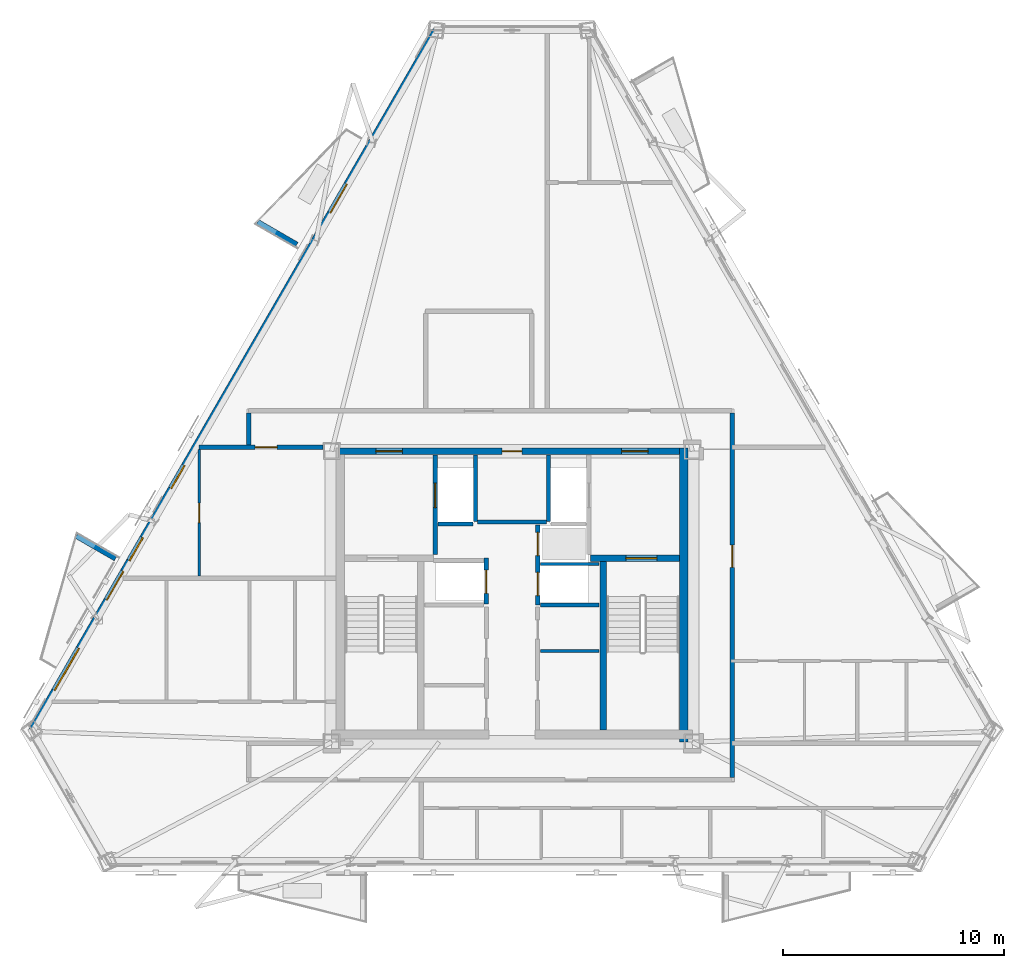
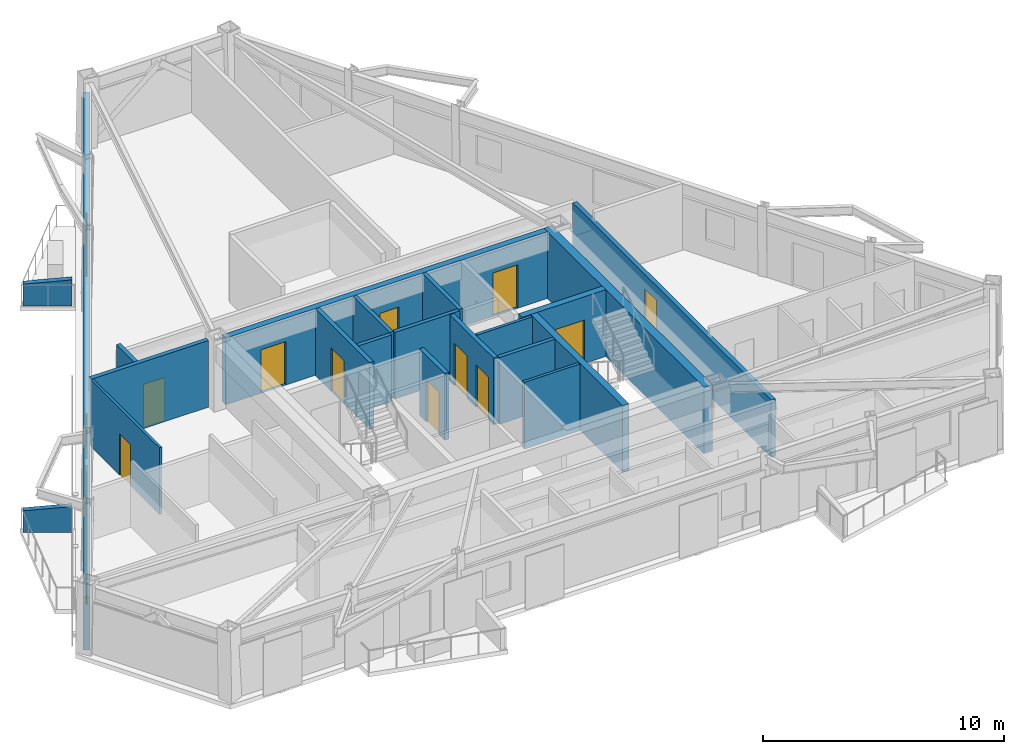
# One storey, part 4 of 11: 21 walls, 13 doors, 3 windows, 16 openings.
"""IFC4 building model written with IfcOpenShell, lengths in metres."""

from ifc_helpers import new_model, si_unit, direction, frame, frame_2d, origin, place, context, subcontext, project, spatial, polyline, rectangle, outline, extrude, material, layer, layer_set, type_object, element, fill, save


model = new_model("IFC4")

# Units and contexts
model_context = context("Model", 3, precision=1e-05, world=origin(), true_north=direction((0.0, 1.0)))
body_context = subcontext(model_context, "Body", "Model", "MODEL_VIEW")
ifc_project = project(units=[si_unit("LENGTHUNIT", "METRE"), si_unit("AREAUNIT", "SQUARE_METRE"), si_unit("VOLUMEUNIT", "CUBIC_METRE"), si_unit("PLANEANGLEUNIT", "RADIAN"), si_unit("MASSUNIT", "GRAM", prefix="KILO")], contexts=[model_context])

# Site, building, storey
site_placement = place(None, origin())
site = spatial("IfcSite", under=ifc_project, at=site_placement, CompositionType="ELEMENT")
building_placement = place(site_placement, origin())
building = spatial("IfcBuilding", under=site, at=building_placement, Name="Oramaril Tower", CompositionType="ELEMENT")
storey_placement = place(building_placement, frame((0.0, 0.0, 212.699951171875)))
storey = spatial("IfcBuildingStorey", under=building, at=storey_placement, Name="L56", CompositionType="ELEMENT", Elevation=212.699951171875)

# Wall, openings, doors, windows
ifc_material_1 = material(Name="Warm Cream Limestone", Category="masonry")
ifc_layer_1 = layer(ifc_material_1, 0.2900390625)
ifc_layer_set_1 = layer_set([ifc_layer_1], Name="WT-EXT29")
wall_type_1 = type_object("IfcWallType", Name="WT-EXT29", PredefinedType="SOLIDWALL", material=ifc_layer_set_1)
wall_1_placement = place(storey_placement, frame((34.060302734375, 43.172607421875, 0.0), z_axis=(0.0, 0.0, 1.0), x_axis=(-0.499999040053, -0.866025958009, 0.0)))
wall_1 = element("IfcWall", 1, at=wall_1_placement, inside=storey, type_object=wall_type_1, Name="L56 Tower Limestone Facade Wall 6M", PredefinedType="SOLIDWALL", context=body_context, shape_type="SweptSolid", body=[
    extrude(rectangle(XDim=36.52294921875, YDim=0.2900390625, at=frame_2d((18.261474609375, 0.0))), origin(), (0.0, 0.0, 1.0), 2.677001953125),
])
opening_1_placement = place(wall_1_placement, frame((8.034423828125, 0.0, 0.0)))
opening_1 = element("IfcOpeningElement", 2, at=opening_1_placement, cuts=wall_1, Name="Opening D-L56-BAL-NW1", PredefinedType="OPENING", context=body_context, shape_type="SweptSolid", body=[
    extrude(rectangle(XDim=1.5, YDim=2.199951171875, at=frame_2d((0.75, 1.10009765625))), frame((0.0, 0.14501953125, 0.0), z_axis=(0.0, -1.0, 0.0), x_axis=(1.0, 0.0, 0.0)), (0.0, 0.0, 1.0), 0.2900390625),
])
opening_2_placement = place(wall_1_placement, frame((28.2333984375, 0.0, 0.0)))
opening_2 = element("IfcOpeningElement", 3, at=opening_2_placement, cuts=wall_1, Name="Opening D-L56-BAL-NW2", PredefinedType="OPENING", context=body_context, shape_type="SweptSolid", body=[
    extrude(rectangle(XDim=1.5, YDim=2.199951171875, at=frame_2d((0.75, 1.10009765625))), frame((0.0, 0.14501953125, 0.0), z_axis=(0.0, -1.0, 0.0), x_axis=(1.0, 0.0, 0.0)), (0.0, 0.0, 1.0), 0.2900390625),
])
opening_3_placement = place(wall_1_placement, frame((32.256591796875, 0.0, 0.85009765625)))
opening_3 = element("IfcOpeningElement", 4, at=opening_3_placement, cuts=wall_1, Name="Opening WN-04", PredefinedType="OPENING", context=body_context, shape_type="SweptSolid", body=[
    extrude(rectangle(XDim=2.199951171875, YDim=1.717041015625, at=frame_2d((1.10009765625, 0.8583984375))), frame((0.0, 0.14501953125, 0.0), z_axis=(0.0, -1.0, 0.0), x_axis=(1.0, 0.0, 0.0)), (0.0, 0.0, 1.0), 0.2900390625),
])
opening_4_placement = place(wall_1_placement, frame((22.715576171875, 0.0, 0.85009765625)))
opening_4 = element("IfcOpeningElement", 5, at=opening_4_placement, cuts=wall_1, Name="Opening WN-09", PredefinedType="OPENING", context=body_context, shape_type="SweptSolid", body=[
    extrude(rectangle(XDim=1.199951171875, YDim=1.47998046875, at=frame_2d((0.60009765625, 0.739990234375))), frame((0.0, 0.14501953125, 0.0), z_axis=(0.0, -1.0, 0.0), x_axis=(1.0, 0.0, 0.0)), (0.0, 0.0, 1.0), 0.2900390625),
])
opening_5_placement = place(wall_1_placement, frame((26.48291015625, 0.0, 0.85009765625)))
opening_5 = element("IfcOpeningElement", 6, at=opening_5_placement, cuts=wall_1, Name="Opening WN-09", PredefinedType="OPENING", context=body_context, shape_type="SweptSolid", body=[
    extrude(rectangle(XDim=1.199951171875, YDim=1.47998046875, at=frame_2d((0.60009765625, 0.739990234375))), frame((0.0, 0.14501953125, 0.0), z_axis=(0.0, -1.0, 0.0), x_axis=(1.0, 0.0, 0.0)), (0.0, 0.0, 1.0), 0.2900390625),
])
ifc_material_2 = material(Name="Anodised Aluminium 6063-T6", Category="aluminium")
door_type_1 = type_object("IfcDoorType", Name="DT-BAL", OperationType="NOTDEFINED", PredefinedType="DOOR", material=ifc_material_2)
door_1_placement = place(opening_1_placement, origin())
door_1 = element("IfcDoor", 7, at=door_1_placement, inside=storey, type_object=door_type_1, Name="L56 Balcony Glazed Door L56-BAL-NW1", OperationType="SINGLE_SWING_LEFT", OverallHeight=2.199951171875, OverallWidth=1.5, PredefinedType="DOOR", context=body_context, shape_type="SweptSolid", body=[
    extrude(rectangle(XDim=1.5, YDim=2.199951171875, at=frame_2d((0.75, 1.10009765625))), frame((0.0, 0.02490234375, 0.0), z_axis=(0.0, -1.0, 0.0), x_axis=(1.0, 0.0, 0.0)), (0.0, 0.0, 1.0), 0.050048828125),
])
fill(opening_1, door_1)
door_2_placement = place(opening_2_placement, origin())
door_2 = element("IfcDoor", 8, at=door_2_placement, inside=storey, type_object=door_type_1, Name="L56 Balcony Glazed Door L56-BAL-NW2", OperationType="SINGLE_SWING_RIGHT", OverallHeight=2.199951171875, OverallWidth=1.5, PredefinedType="DOOR", context=body_context, shape_type="SweptSolid", body=[
    extrude(rectangle(XDim=1.5, YDim=2.199951171875, at=frame_2d((0.75, 1.10009765625))), frame((0.0, 0.02490234375, 0.0), z_axis=(0.0, -1.0, 0.0), x_axis=(1.0, 0.0, 0.0)), (0.0, 0.0, 1.0), 0.050048828125),
])
fill(opening_2, door_2)
ifc_material_3 = material(Name="Coastal Low-E Insulated Glass", Category="glass")
window_type_1 = type_object("IfcWindowType", Name="WNT-04", PartitioningType="SINGLE_PANEL", PredefinedType="WINDOW", material=ifc_material_3)
window_1_placement = place(opening_3_placement, origin())
window_1 = element("IfcWindow", 9, at=window_1_placement, inside=storey, type_object=window_type_1, Name="L56 Chicago Bay Window WN-04", OverallHeight=1.717041015625, OverallWidth=2.199951171875, PartitioningType="SINGLE_PANEL", PredefinedType="WINDOW", context=body_context, shape_type="SweptSolid", body=[
    extrude(rectangle(XDim=2.199951171875, YDim=1.717041015625, at=frame_2d((1.10009765625, 0.8583984375))), frame((0.0, 0.030029296875, 0.0), z_axis=(0.0, -1.0, 0.0), x_axis=(1.0, 0.0, 0.0)), (0.0, 0.0, 1.0), 0.06005859375),
])
fill(opening_3, window_1)
ifc_material_4 = material(Name="Coastal Low-E Insulated Glass", Category="glass")
window_type_2 = type_object("IfcWindowType", Name="WNT-09", PartitioningType="SINGLE_PANEL", PredefinedType="WINDOW", material=ifc_material_4)
window_2_placement = place(opening_4_placement, origin())
window_2 = element("IfcWindow", 10, at=window_2_placement, inside=storey, type_object=window_type_2, Name="L56 Chicago Bay Window WN-09", OverallHeight=1.47998046875, OverallWidth=1.199951171875, PartitioningType="SINGLE_PANEL", PredefinedType="WINDOW", context=body_context, shape_type="SweptSolid", body=[
    extrude(rectangle(XDim=1.199951171875, YDim=1.47998046875, at=frame_2d((0.60009765625, 0.739990234375))), frame((0.0, 0.030029296875, 0.0), z_axis=(0.0, -1.0, 0.0), x_axis=(1.0, 0.0, 0.0)), (0.0, 0.0, 1.0), 0.06005859375),
])
fill(opening_4, window_2)
window_3_placement = place(opening_5_placement, origin())
window_3 = element("IfcWindow", 11, at=window_3_placement, inside=storey, type_object=window_type_2, Name="L56 Chicago Bay Window WN-09", OverallHeight=1.47998046875, OverallWidth=1.199951171875, PartitioningType="SINGLE_PANEL", PredefinedType="WINDOW", context=body_context, shape_type="SweptSolid", body=[
    extrude(rectangle(XDim=1.199951171875, YDim=1.47998046875, at=frame_2d((0.60009765625, 0.739990234375))), frame((0.0, 0.030029296875, 0.0), z_axis=(0.0, -1.0, 0.0), x_axis=(1.0, 0.0, 0.0)), (0.0, 0.0, 1.0), 0.06005859375),
])
fill(opening_5, window_3)

# Walls
ifc_material_5 = material(Name="Concrete C40/50", Category="concrete")
ifc_layer_2 = layer(ifc_material_5, 0.22998046875)
ifc_layer_set_2 = layer_set([ifc_layer_2], Name="WT-PRP23")
wall_type_2 = type_object("IfcWallType", Name="WT-PRP23", PredefinedType="PARAPET", material=ifc_layer_set_2)
for number, where, z_axis, x_axis, name in (
    (12, (27.777587890625, 33.48681640625, 0.0), (0.0, 0.0, 1.0), (-0.866012356593, 0.500022597718, 0.0), "L56 Trapezoidal Balcony Frame Cheek L56-BAL-NW1-R"),
    (13, (19.5830078125, 19.293212890625, 0.0), (0.0, 0.0, 1.0), (-0.866012356593, 0.500022597718, 0.0), "L56 Trapezoidal Balcony Frame Cheek L56-BAL-NW2-L"),
):
    element("IfcWall", number, at=place(storey_placement, frame(where, z_axis=z_axis, x_axis=x_axis)), inside=storey, type_object=wall_type_2, Name=name, PredefinedType="PARAPET", context=body_context, shape_type="SweptSolid", body=[
        extrude(outline(polyline([(0.0, 0.0), (2.0419921875, 0.0), (2.0419921875, 1.10009765625), (0.0, 1.320068359375), (0.0, 0.0)])), frame((0.0, 0.114990234375, 0.0), z_axis=(0.0, -1.0, 0.0), x_axis=(1.0, 0.0, 0.0)), (0.0, 0.0, 1.0), 0.22998046875),
    ])

# Wall, opening, door
ifc_material_6 = material(Name="Acoustic Gypsum Board Partition")
ifc_layer_3 = layer(ifc_material_6, 0.1201171875)
ifc_layer_set_3 = layer_set([ifc_layer_3], Name="WT-PT12")
wall_type_3 = type_object("IfcWallType", Name="WT-PT12", PredefinedType="PARTITIONING", material=ifc_layer_set_3)
wall_2_placement = place(storey_placement, frame((23.3701171875, 18.50390625, 0.0), z_axis=(0.0, 0.0, 1.0), x_axis=(0.0, 1.0, 0.0)))
wall_2 = element("IfcWall", 14, at=wall_2_placement, inside=storey, type_object=wall_type_3, Name="L56 Interior Partition PT-12", PredefinedType="PARTITIONING", context=body_context, shape_type="SweptSolid", body=[
    extrude(rectangle(XDim=5.712158203125, YDim=0.1201171875, at=frame_2d((2.85595703125, 0.0))), origin(), (0.0, 0.0, 1.0), 3.380126953125),
])
opening_6_placement = place(wall_2_placement, frame((2.416015625, 0.0, 0.0)))
opening_6 = element("IfcOpeningElement", 15, at=opening_6_placement, cuts=wall_2, Name="Opening D-L56-22", PredefinedType="OPENING", context=body_context, shape_type="SweptSolid", body=[
    extrude(rectangle(XDim=0.8798828125, YDim=2.080078125, at=frame_2d((0.43994140625, 1.0400390625))), frame((0.0, 0.06005859375, 0.0), z_axis=(0.0, -1.0, 0.0), x_axis=(1.0, 0.0, 0.0)), (0.0, 0.0, 1.0), 0.1201171875),
])
ifc_material_7 = material(Name="FSC Brazilian Freijo Hardwood", Category="wood")
door_type_2 = type_object("IfcDoorType", Name="DT-BATH", OperationType="NOTDEFINED", PredefinedType="DOOR", material=ifc_material_7)
door_3_placement = place(opening_6_placement, origin())
door_3 = element("IfcDoor", 16, at=door_3_placement, inside=storey, type_object=door_type_2, Name="L56 Flat L56-U3 Bathroom Door D-L56-22", OperationType="SINGLE_SWING_LEFT", OverallHeight=2.080078125, OverallWidth=0.8798828125, PredefinedType="DOOR", context=body_context, shape_type="SweptSolid", body=[
    extrude(rectangle(XDim=0.8798828125, YDim=2.080078125, at=frame_2d((0.43994140625, 1.0400390625))), frame((0.0, 0.02490234375, 0.0), z_axis=(0.0, -1.0, 0.0), x_axis=(1.0, 0.0, 0.0)), (0.0, 0.0, 1.0), 0.050048828125),
])
fill(opening_6, door_3)

# Walls
ifc_material_8 = material(Name="Acoustic Gypsum Board Partition")
ifc_layer_4 = layer(ifc_material_8, 0.139892578125)
ifc_layer_set_4 = layer_set([ifc_layer_4], Name="WT-PT14")
wall_type_4 = type_object("IfcWallType", Name="WT-PT14", PredefinedType="PARTITIONING", material=ifc_layer_set_4)
for number, where, z_axis, x_axis, name in (
    (17, (38.780029296875, 19.050048828125, 0.0), (0.0, 0.0, 1.0), (1.0, 0.0, 0.0), "L56 High-Rise Lift H2-H3 Divider"),
    (18, (38.780029296875, 15.110107421875, 0.0), (0.0, 0.0, 1.0), (1.0, 0.0, 0.0), "L56 Freed Shaft Divider"),
):
    element("IfcWall", number, at=place(storey_placement, frame(where, z_axis=z_axis, x_axis=x_axis)), inside=storey, type_object=wall_type_4, Name=name, PredefinedType="PARTITIONING", context=body_context, shape_type="SweptSolid", body=[
        extrude(rectangle(XDim=2.659912109375, YDim=0.139892578125, at=frame_2d((1.330078125, 0.0))), origin(), (0.0, 0.0, 1.0), 3.380126953125),
    ])
ifc_material_9 = material(Name="Autoclaved Cellular Concrete Block", Category="concrete")
ifc_layer_5 = layer(ifc_material_9, 0.179931640625)
ifc_layer_set_5 = layer_set([ifc_layer_5], Name="WT-PT18")
wall_type_5 = type_object("IfcWallType", Name="WT-PT18", PredefinedType="PARTITIONING", material=ifc_layer_set_5)
wall_3_placement = place(storey_placement, frame((35.840087890625, 20.9599609375, 0.0), z_axis=(0.0, 0.0, 1.0), x_axis=(0.0, 1.0, 0.0)))
element("IfcWall", 19, at=wall_3_placement, inside=storey, type_object=wall_type_5, Name="L56 FL-1 East Shaft Wall", PredefinedType="PARTITIONING", context=body_context, shape_type="SweptSolid", body=[
    extrude(rectangle(XDim=3.02001953125, YDim=0.179931640625, at=frame_2d((1.510009765625, 0.0))), origin(), (0.0, 0.0, 1.0), 3.380126953125),
])
wall_4_placement = place(storey_placement, frame((34.159912109375, 20.860107421875, 0.0), z_axis=(0.0, 0.0, 1.0), x_axis=(1.0, 0.0, 0.0)))
element("IfcWall", 20, at=wall_4_placement, inside=storey, type_object=wall_type_5, Name="L56 FL-1 South Shaft Wall", PredefinedType="PARTITIONING", context=body_context, shape_type="SweptSolid", body=[
    extrude(rectangle(XDim=1.580078125, YDim=0.179931640625, at=frame_2d((0.7900390625, 0.0))), origin(), (0.0, 0.0, 1.0), 3.380126953125),
])
wall_5_placement = place(storey_placement, frame((39.159912109375, 20.9599609375, 0.0), z_axis=(0.0, 0.0, 1.0), x_axis=(0.0, 1.0, 0.0)))
element("IfcWall", 21, at=wall_5_placement, inside=storey, type_object=wall_type_5, Name="L56 FL-2 West Shaft Wall", PredefinedType="PARTITIONING", context=body_context, shape_type="SweptSolid", body=[
    extrude(rectangle(XDim=3.02001953125, YDim=0.179931640625, at=frame_2d((1.510009765625, 0.0))), origin(), (0.0, 0.0, 1.0), 3.380126953125),
])
wall_6_placement = place(storey_placement, frame((38.780029296875, 17.199951171875, 0.0), z_axis=(0.0, 0.0, 1.0), x_axis=(1.0, 0.0, 0.0)))
element("IfcWall", 22, at=wall_6_placement, inside=storey, type_object=wall_type_5, Name="L56 High-Rise Lift H2 South Wall", PredefinedType="PARTITIONING", context=body_context, shape_type="SweptSolid", body=[
    extrude(rectangle(XDim=2.659912109375, YDim=0.179931640625, at=frame_2d((1.330078125, 0.0))), origin(), (0.0, 0.0, 1.0), 3.380126953125),
])
wall_7_placement = place(storey_placement, frame((35.949951171875, 20.949951171875, 0.0), z_axis=(0.0, 0.0, 1.0), x_axis=(1.0, 0.0, 0.0)))
element("IfcWall", 23, at=wall_7_placement, inside=storey, type_object=wall_type_5, Name="L56 Lift Lobby North Partition", PredefinedType="PARTITIONING", context=body_context, shape_type="SweptSolid", body=[
    extrude(rectangle(XDim=3.10009765625, YDim=0.179931640625, at=frame_2d((1.550048828125, 0.0))), origin(), (0.0, 0.0, 1.0), 3.380126953125),
])

# Wall, opening, door
ifc_material_10 = material(Name="Autoclaved Cellular Concrete Block", Category="concrete")
ifc_layer_6 = layer(ifc_material_10, 0.199951171875)
ifc_layer_set_6 = layer_set([ifc_layer_6], Name="WT-PT20")
wall_type_6 = type_object("IfcWallType", Name="WT-PT20", PredefinedType="PARTITIONING", material=ifc_layer_set_6)
wall_8_placement = place(storey_placement, frame((23.347900390625, 24.320068359375, 0.0), z_axis=(0.0, 0.0, 1.0), x_axis=(1.0, 0.0, 0.0)))
wall_8 = element("IfcWall", 24, at=wall_8_placement, inside=storey, type_object=wall_type_6, Name="L56 Interior Partition PT-20", PredefinedType="PARTITIONING", context=body_context, shape_type="SweptSolid", body=[
    extrude(rectangle(XDim=5.612060546875, YDim=0.199951171875, at=frame_2d((2.80615234375, 0.0))), origin(), (0.0, 0.0, 1.0), 3.380126953125),
])
opening_7_placement = place(wall_8_placement, frame((2.540283203125, 0.0, 0.0)))
opening_7 = element("IfcOpeningElement", 25, at=opening_7_placement, cuts=wall_8, Name="Opening D-L56-17", PredefinedType="OPENING", context=body_context, shape_type="SweptSolid", body=[
    extrude(rectangle(XDim=1.0, YDim=2.179931640625, at=frame_2d((0.5, 1.08984375))), frame((0.0, 0.10009765625, 0.0), z_axis=(0.0, -1.0, 0.0), x_axis=(1.0, 0.0, 0.0)), (0.0, 0.0, 1.0), 0.199951171875),
])
ifc_material_11 = material(Name="FSC Brazilian Freijo Hardwood", Category="wood")
door_type_3 = type_object("IfcDoorType", Name="DT-APT", OperationType="NOTDEFINED", PredefinedType="DOOR", material=ifc_material_11)
door_4_placement = place(opening_7_placement, origin())
door_4 = element("IfcDoor", 26, at=door_4_placement, inside=storey, type_object=door_type_3, Name="L56 Flat L56-U3 Kitchen and Studio Apartment Door D-L56-17", OperationType="SINGLE_SWING_RIGHT", OverallHeight=2.179931640625, OverallWidth=1.0, PredefinedType="DOOR", context=body_context, shape_type="SweptSolid", body=[
    extrude(rectangle(XDim=1.0, YDim=2.179931640625, at=frame_2d((0.5, 1.08984375))), frame((0.0, 0.02490234375, 0.0), z_axis=(0.0, -1.0, 0.0), x_axis=(1.0, 0.0, 0.0)), (0.0, 0.0, 1.0), 0.050048828125),
])
fill(opening_7, door_4)

# Wall
wall_9_placement = place(storey_placement, frame((25.60009765625, 24.424072265625, 0.0), z_axis=(0.0, 0.0, 1.0), x_axis=(0.0, 1.0, 0.0)))
element("IfcWall", 27, at=wall_9_placement, inside=storey, type_object=wall_type_6, Name="L56 Interior Partition PT-20", PredefinedType="PARTITIONING", context=body_context, shape_type="SweptSolid", body=[
    extrude(rectangle(XDim=1.44189453125, YDim=0.199951171875, at=frame_2d((0.720947265625, 0.0))), origin(), (0.0, 0.0, 1.0), 3.380126953125),
])

# Wall, opening, door
wall_10_placement = place(storey_placement, frame((47.449951171875, 9.404052734375, 0.0), z_axis=(0.0, 0.0, 1.0), x_axis=(0.0, 1.0, 0.0)))
wall_10 = element("IfcWall", 28, at=wall_10_placement, inside=storey, type_object=wall_type_6, Name="L56 Interior Partition PT-20", PredefinedType="PARTITIONING", context=body_context, shape_type="SweptSolid", body=[
    extrude(rectangle(XDim=16.4619140625, YDim=0.199951171875, at=frame_2d((8.23095703125, 0.0))), origin(), (0.0, 0.0, 1.0), 2.9130859375),
])
opening_8_placement = place(wall_10_placement, frame((9.49609375, 0.0, 0.0)))
opening_8 = element("IfcOpeningElement", 29, at=opening_8_placement, cuts=wall_10, Name="Opening D-L56-23", PredefinedType="OPENING", context=body_context, shape_type="SweptSolid", body=[
    extrude(rectangle(XDim=1.0, YDim=2.179931640625, at=frame_2d((0.5, 1.08984375))), frame((0.0, 0.10009765625, 0.0), z_axis=(0.0, -1.0, 0.0), x_axis=(1.0, 0.0, 0.0)), (0.0, 0.0, 1.0), 0.199951171875),
])
door_5_placement = place(opening_8_placement, origin())
door_5 = element("IfcDoor", 30, at=door_5_placement, inside=storey, type_object=door_type_3, Name="L56 Flat L56-U4 Penthouse Living and Dining Room Door D-L56-23", OperationType="SINGLE_SWING_RIGHT", OverallHeight=2.179931640625, OverallWidth=1.0, PredefinedType="DOOR", context=body_context, shape_type="SweptSolid", body=[
    extrude(rectangle(XDim=1.0, YDim=2.179931640625, at=frame_2d((0.5, 1.08984375))), frame((0.0, 0.02490234375, 0.0), z_axis=(0.0, -1.0, 0.0), x_axis=(1.0, 0.0, 0.0)), (0.0, 0.0, 1.0), 0.050048828125),
])
fill(opening_8, door_5)

# Wall, openings, doors
ifc_material_12 = material(Name="Concrete C50/60", Category="concrete")
ifc_layer_7 = layer(ifc_material_12, 0.300048828125)
ifc_layer_set_7 = layer_set([ifc_layer_7], Name="WT-SH30")
wall_type_7 = type_object("IfcWallType", Name="WT-SH30", PredefinedType="SHEAR", material=ifc_layer_set_7)
wall_11_placement = place(storey_placement, frame((29.64990234375, 24.14990234375, 0.0), z_axis=(0.0, 0.0, 1.0), x_axis=(1.0, 0.0, 0.0)))
wall_11 = element("IfcWall", 31, at=wall_11_placement, inside=storey, type_object=wall_type_7, Name="L56 Core Shear Wall CW-N", PredefinedType="SHEAR", context=body_context, shape_type="SweptSolid", body=[
    extrude(rectangle(XDim=15.7001953125, YDim=0.300048828125, at=frame_2d((7.85009765625, 0.0))), origin(), (0.0, 0.0, 1.0), 3.380126953125),
])
opening_9_placement = place(wall_11_placement, frame((1.699951171875, 0.0, 0.0)))
opening_9 = element("IfcOpeningElement", 32, at=opening_9_placement, cuts=wall_11, Name="Opening D-L56-FFL1", PredefinedType="OPENING", context=body_context, shape_type="SweptSolid", body=[
    extrude(rectangle(XDim=1.199951171875, YDim=2.199951171875, at=frame_2d((0.60009765625, 1.10009765625))), frame((0.0, 0.14990234375, 0.0), z_axis=(0.0, -1.0, 0.0), x_axis=(1.0, 0.0, 0.0)), (0.0, 0.0, 1.0), 0.300048828125),
])
opening_10_placement = place(wall_11_placement, frame((12.800048828125, 0.0, 0.0)))
opening_10 = element("IfcOpeningElement", 33, at=opening_10_placement, cuts=wall_11, Name="Opening D-L56-FFL2", PredefinedType="OPENING", context=body_context, shape_type="SweptSolid", body=[
    extrude(rectangle(XDim=1.199951171875, YDim=2.199951171875, at=frame_2d((0.60009765625, 1.10009765625))), frame((0.0, 0.14990234375, 0.0), z_axis=(0.0, -1.0, 0.0), x_axis=(1.0, 0.0, 0.0)), (0.0, 0.0, 1.0), 0.300048828125),
])
opening_11_placement = place(wall_11_placement, frame((7.39990234375, 0.0, 0.0)))
opening_11 = element("IfcOpeningElement", 34, at=opening_11_placement, cuts=wall_11, Name="Opening D-L56-SV1", PredefinedType="OPENING", context=body_context, shape_type="SweptSolid", body=[
    extrude(rectangle(XDim=0.89990234375, YDim=2.050048828125, at=frame_2d((0.449951171875, 1.02490234375))), frame((0.0, 0.14990234375, 0.0), z_axis=(0.0, -1.0, 0.0), x_axis=(1.0, 0.0, 0.0)), (0.0, 0.0, 1.0), 0.300048828125),
])
ifc_material_13 = material(Name="Painted Galvanised Steel", Category="steel")
door_type_4 = type_object("IfcDoorType", Name="DT-FFL", OperationType="NOTDEFINED", PredefinedType="DOOR", material=ifc_material_13)
door_6_placement = place(opening_9_placement, origin())
door_6 = element("IfcDoor", 35, at=door_6_placement, inside=storey, type_object=door_type_4, Name="L56 Firefighting Lobby 1 Fire Door", OperationType="SINGLE_SWING_LEFT", OverallHeight=2.199951171875, OverallWidth=1.199951171875, PredefinedType="DOOR", context=body_context, shape_type="SweptSolid", body=[
    extrude(rectangle(XDim=1.199951171875, YDim=2.199951171875, at=frame_2d((0.60009765625, 1.10009765625))), frame((0.0, 0.02490234375, 0.0), z_axis=(0.0, -1.0, 0.0), x_axis=(1.0, 0.0, 0.0)), (0.0, 0.0, 1.0), 0.050048828125),
])
fill(opening_9, door_6)
door_7_placement = place(opening_10_placement, origin())
door_7 = element("IfcDoor", 36, at=door_7_placement, inside=storey, type_object=door_type_4, Name="L56 Firefighting Lobby 2 Fire Door", OperationType="SINGLE_SWING_RIGHT", OverallHeight=2.199951171875, OverallWidth=1.199951171875, PredefinedType="DOOR", context=body_context, shape_type="SweptSolid", body=[
    extrude(rectangle(XDim=1.199951171875, YDim=2.199951171875, at=frame_2d((0.60009765625, 1.10009765625))), frame((0.0, 0.02490234375, 0.0), z_axis=(0.0, -1.0, 0.0), x_axis=(1.0, 0.0, 0.0)), (0.0, 0.0, 1.0), 0.050048828125),
])
fill(opening_10, door_7)
ifc_material_14 = material(Name="Painted Galvanised Steel", Category="steel")
door_type_5 = type_object("IfcDoorType", Name="DT-SVC", OperationType="NOTDEFINED", PredefinedType="DOOR", material=ifc_material_14)
door_8_placement = place(opening_11_placement, origin())
door_8 = element("IfcDoor", 37, at=door_8_placement, inside=storey, type_object=door_type_5, Name="L56 Core Janitor Store Door", OperationType="SINGLE_SWING_LEFT", OverallHeight=2.050048828125, OverallWidth=0.89990234375, PredefinedType="DOOR", context=body_context, shape_type="SweptSolid", body=[
    extrude(rectangle(XDim=0.89990234375, YDim=2.050048828125, at=frame_2d((0.449951171875, 1.02490234375))), frame((0.0, 0.02490234375, 0.0), z_axis=(0.0, -1.0, 0.0), x_axis=(1.0, 0.0, 0.0)), (0.0, 0.0, 1.0), 0.050048828125),
])
fill(opening_11, door_8)

# Wall, opening, door
wall_12_placement = place(storey_placement, frame((41.050048828125, 19.31005859375, 0.0), z_axis=(0.0, 0.0, 1.0), x_axis=(1.0, 0.0, 0.0)))
wall_12 = element("IfcWall", 38, at=wall_12_placement, inside=storey, type_object=wall_type_7, Name="L56 Core Shear Wall CW-ST2N", PredefinedType="SHEAR", context=body_context, shape_type="SweptSolid", body=[
    extrude(rectangle(XDim=4.010009765625, YDim=0.300048828125, at=frame_2d((2.0048828125, 0.0))), origin(), (0.0, 0.0, 1.0), 3.380126953125),
])
opening_12_placement = place(wall_12_placement, frame((1.60009765625, 0.0, 0.0)))
opening_12 = element("IfcOpeningElement", 39, at=opening_12_placement, cuts=wall_12, Name="Opening D-L56-ST2", PredefinedType="OPENING", context=body_context, shape_type="SweptSolid", body=[
    extrude(rectangle(XDim=1.39990234375, YDim=2.199951171875, at=frame_2d((0.699951171875, 1.10009765625))), frame((0.0, 0.14990234375, 0.0), z_axis=(0.0, -1.0, 0.0), x_axis=(1.0, 0.0, 0.0)), (0.0, 0.0, 1.0), 0.300048828125),
])
ifc_material_15 = material(Name="Painted Galvanised Steel", Category="steel")
door_type_6 = type_object("IfcDoorType", Name="DT-ST", OperationType="NOTDEFINED", PredefinedType="DOOR", material=ifc_material_15)
door_9_placement = place(opening_12_placement, origin())
door_9 = element("IfcDoor", 40, at=door_9_placement, inside=storey, type_object=door_type_6, Name="L56 Protected Stair ST-2 Fire Door", OperationType="SINGLE_SWING_RIGHT", OverallHeight=2.199951171875, OverallWidth=1.39990234375, PredefinedType="DOOR", context=body_context, shape_type="SweptSolid", body=[
    extrude(rectangle(XDim=1.39990234375, YDim=2.199951171875, at=frame_2d((0.699951171875, 1.10009765625))), frame((0.0, 0.02490234375, 0.0), z_axis=(0.0, -1.0, 0.0), x_axis=(1.0, 0.0, 0.0)), (0.0, 0.0, 1.0), 0.050048828125),
])
fill(opening_12, door_9)

# Walls
wall_13_placement = place(storey_placement, frame((41.6201171875, 11.5400390625, 0.0), z_axis=(0.0, 0.0, 1.0), x_axis=(0.0, 1.0, 0.0)))
element("IfcWall", 41, at=wall_13_placement, inside=storey, type_object=wall_type_7, Name="L56 Core Shear Wall CW-ST2W", PredefinedType="SHEAR", context=body_context, shape_type="SweptSolid", body=[
    extrude(rectangle(XDim=7.619873046875, YDim=0.300048828125, at=frame_2d((3.81005859375, 0.0))), origin(), (0.0, 0.0, 1.0), 3.380126953125),
])
ifc_material_16 = material(Name="Concrete C50/60", Category="concrete")
ifc_layer_8 = layer(ifc_material_16, 0.39990234375)
ifc_layer_set_8 = layer_set([ifc_layer_8], Name="WT-SH40")
wall_type_8 = type_object("IfcWallType", Name="WT-SH40", PredefinedType="SHEAR", material=ifc_layer_set_8)
wall_14_placement = place(storey_placement, frame((45.260009765625, 11.0, 0.0), z_axis=(0.0, 0.0, 1.0), x_axis=(0.0, 1.0, 0.0)))
element("IfcWall", 42, at=wall_14_placement, inside=storey, type_object=wall_type_8, Name="L56 Core Shear Wall CW-E", PredefinedType="SHEAR", context=body_context, shape_type="SweptSolid", body=[
    extrude(rectangle(XDim=13.300048828125, YDim=0.39990234375, at=frame_2d((6.64990234375, 0.0))), origin(), (0.0, 0.0, 1.0), 3.380126953125),
])

# Wall, opening, door
ifc_material_17 = material(Name="Autoclaved Cellular Concrete Block", Category="concrete")
ifc_layer_9 = layer(ifc_material_17, 0.199951171875)
ifc_layer_set_9 = layer_set([ifc_layer_9], Name="WT-SHF20")
wall_type_9 = type_object("IfcWallType", Name="WT-SHF20", PredefinedType="PARTITIONING", material=ifc_layer_set_9)
wall_15_placement = place(storey_placement, frame((34.0400390625, 19.47998046875, 0.0), z_axis=(0.0, 0.0, 1.0), x_axis=(0.0, 1.0, 0.0)))
wall_15 = element("IfcWall", 43, at=wall_15_placement, inside=storey, type_object=wall_type_9, Name="L56 FL-1 Lobby Shaft Wall", PredefinedType="PARTITIONING", context=body_context, shape_type="SweptSolid", body=[
    extrude(rectangle(XDim=4.5, YDim=0.199951171875, at=frame_2d((2.25, 0.0))), origin(), (0.0, 0.0, 1.0), 3.380126953125),
])
opening_13_placement = place(wall_15_placement, frame((2.1201171875, 0.0, 0.0)))
opening_13 = element("IfcOpeningElement", 44, at=opening_13_placement, cuts=wall_15, Name="Opening LD-L56-FL-1", PredefinedType="OPENING", context=body_context, shape_type="SweptSolid", body=[
    extrude(rectangle(XDim=1.10009765625, YDim=2.199951171875, at=frame_2d((0.550048828125, 1.10009765625))), frame((0.0, 0.10009765625, 0.0), z_axis=(0.0, -1.0, 0.0), x_axis=(1.0, 0.0, 0.0)), (0.0, 0.0, 1.0), 0.199951171875),
])
ifc_material_18 = material(Name="Stainless Steel 316L", Category="steel")
door_type_7 = type_object("IfcDoorType", Name="DT-LD1", OperationType="NOTDEFINED", PredefinedType="DOOR", material=ifc_material_18)
door_10_placement = place(opening_13_placement, origin())
door_10 = element("IfcDoor", 45, at=door_10_placement, inside=storey, type_object=door_type_7, Name="L56 Lift FL-1 Sliding Landing Door", OperationType="SLIDING_TO_LEFT", OverallHeight=2.199951171875, OverallWidth=1.10009765625, PredefinedType="DOOR", context=body_context, shape_type="SweptSolid", body=[
    extrude(rectangle(XDim=1.10009765625, YDim=2.199951171875, at=frame_2d((0.550048828125, 1.10009765625))), frame((0.0, 0.02490234375, 0.0), z_axis=(0.0, -1.0, 0.0), x_axis=(1.0, 0.0, 0.0)), (0.0, 0.0, 1.0), 0.050048828125),
])
fill(opening_13, door_10)

wall_16_placement = place(storey_placement, frame((36.340087890625, 17.25, 0.0), z_axis=(0.0, 0.0, 1.0), x_axis=(0.0, 1.0, 0.0)))
wall_16 = element("IfcWall", 46, at=wall_16_placement, inside=storey, type_object=wall_type_9, Name="L56 High-Rise Lift H1 Front Wall", PredefinedType="PARTITIONING", context=body_context, shape_type="SweptSolid", body=[
    extrude(rectangle(XDim=2.070068359375, YDim=0.199951171875, at=frame_2d((1.03515625, 0.0))), origin(), (0.0, 0.0, 1.0), 3.380126953125),
])
opening_14_placement = place(wall_16_placement, frame((0.47509765625, 0.0, 0.0)))
opening_14 = element("IfcOpeningElement", 47, at=opening_14_placement, cuts=wall_16, Name="Opening LD-L56-LP-H1", PredefinedType="OPENING", context=body_context, shape_type="SweptSolid", body=[
    extrude(rectangle(XDim=1.050048828125, YDim=2.14990234375, at=frame_2d((0.52490234375, 1.074951171875))), frame((0.0, 0.10009765625, 0.0), z_axis=(0.0, -1.0, 0.0), x_axis=(1.0, 0.0, 0.0)), (0.0, 0.0, 1.0), 0.199951171875),
])
ifc_material_19 = material(Name="Stainless Steel 316L", Category="steel")
door_type_8 = type_object("IfcDoorType", Name="DT-LD2", OperationType="NOTDEFINED", PredefinedType="DOOR", material=ifc_material_19)
door_11_placement = place(opening_14_placement, origin())
door_11 = element("IfcDoor", 48, at=door_11_placement, inside=storey, type_object=door_type_8, Name="L56 Lift LP-H1 Sliding Landing Door", OperationType="SLIDING_TO_LEFT", OverallHeight=2.14990234375, OverallWidth=1.050048828125, PredefinedType="DOOR", context=body_context, shape_type="SweptSolid", body=[
    extrude(rectangle(XDim=1.050048828125, YDim=2.14990234375, at=frame_2d((0.52490234375, 1.074951171875))), frame((0.0, 0.02490234375, 0.0), z_axis=(0.0, -1.0, 0.0), x_axis=(1.0, 0.0, 0.0)), (0.0, 0.0, 1.0), 0.050048828125),
])
fill(opening_14, door_11)

# Wall, openings, doors
wall_17_placement = place(storey_placement, frame((38.659912109375, 17.199951171875, 0.0), z_axis=(0.0, 0.0, 1.0), x_axis=(0.0, 1.0, 0.0)))
wall_17 = element("IfcWall", 49, at=wall_17_placement, inside=storey, type_object=wall_type_9, Name="L56 High-Rise Lift H2-H3 Front Wall", PredefinedType="PARTITIONING", context=body_context, shape_type="SweptSolid", body=[
    extrude(rectangle(XDim=3.6201171875, YDim=0.199951171875, at=frame_2d((1.81005859375, 0.0))), origin(), (0.0, 0.0, 1.0), 3.380126953125),
])
opening_15_placement = place(wall_17_placement, frame((0.425048828125, 0.0, 0.0)))
opening_15 = element("IfcOpeningElement", 50, at=opening_15_placement, cuts=wall_17, Name="Opening LD-L56-LP-H2", PredefinedType="OPENING", context=body_context, shape_type="SweptSolid", body=[
    extrude(rectangle(XDim=1.050048828125, YDim=2.14990234375, at=frame_2d((0.52490234375, 1.074951171875))), frame((0.0, 0.10009765625, 0.0), z_axis=(0.0, -1.0, 0.0), x_axis=(1.0, 0.0, 0.0)), (0.0, 0.0, 1.0), 0.199951171875),
])
opening_16_placement = place(wall_17_placement, frame((2.22509765625, 0.0, 0.0)))
opening_16 = element("IfcOpeningElement", 51, at=opening_16_placement, cuts=wall_17, Name="Opening LD-L56-LP-H3", PredefinedType="OPENING", context=body_context, shape_type="SweptSolid", body=[
    extrude(rectangle(XDim=1.050048828125, YDim=2.14990234375, at=frame_2d((0.52490234375, 1.074951171875))), frame((0.0, 0.10009765625, 0.0), z_axis=(0.0, -1.0, 0.0), x_axis=(1.0, 0.0, 0.0)), (0.0, 0.0, 1.0), 0.199951171875),
])
door_12_placement = place(opening_15_placement, origin())
door_12 = element("IfcDoor", 52, at=door_12_placement, inside=storey, type_object=door_type_8, Name="L56 Lift LP-H2 Sliding Landing Door", OperationType="SLIDING_TO_RIGHT", OverallHeight=2.14990234375, OverallWidth=1.050048828125, PredefinedType="DOOR", context=body_context, shape_type="SweptSolid", body=[
    extrude(rectangle(XDim=1.050048828125, YDim=2.14990234375, at=frame_2d((0.52490234375, 1.074951171875))), frame((0.0, 0.02490234375, 0.0), z_axis=(0.0, -1.0, 0.0), x_axis=(1.0, 0.0, 0.0)), (0.0, 0.0, 1.0), 0.050048828125),
])
fill(opening_15, door_12)
door_13_placement = place(opening_16_placement, origin())
door_13 = element("IfcDoor", 53, at=door_13_placement, inside=storey, type_object=door_type_8, Name="L56 Lift LP-H3 Sliding Landing Door", OperationType="SLIDING_TO_LEFT", OverallHeight=2.14990234375, OverallWidth=1.050048828125, PredefinedType="DOOR", context=body_context, shape_type="SweptSolid", body=[
    extrude(rectangle(XDim=1.050048828125, YDim=2.14990234375, at=frame_2d((0.52490234375, 1.074951171875))), frame((0.0, 0.02490234375, 0.0), z_axis=(0.0, -1.0, 0.0), x_axis=(1.0, 0.0, 0.0)), (0.0, 0.0, 1.0), 0.050048828125),
])
fill(opening_16, door_13)

save(model, "model.ifc")
